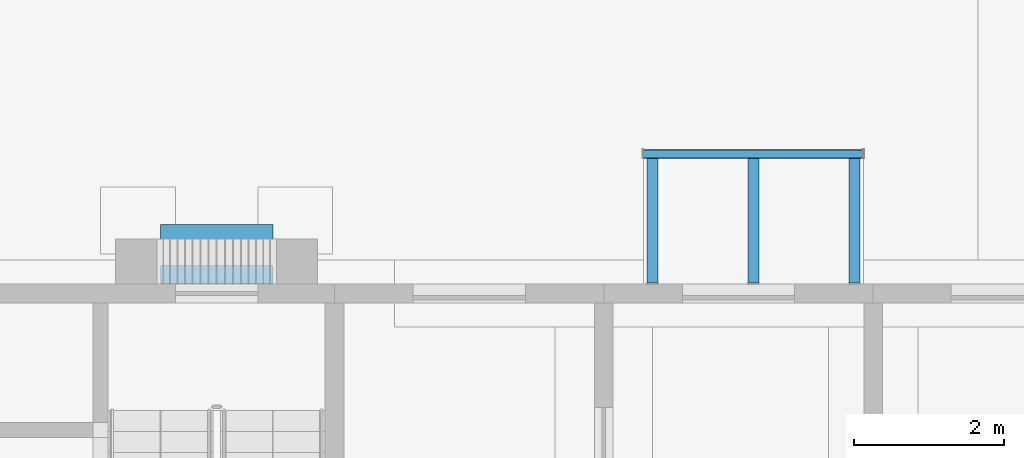
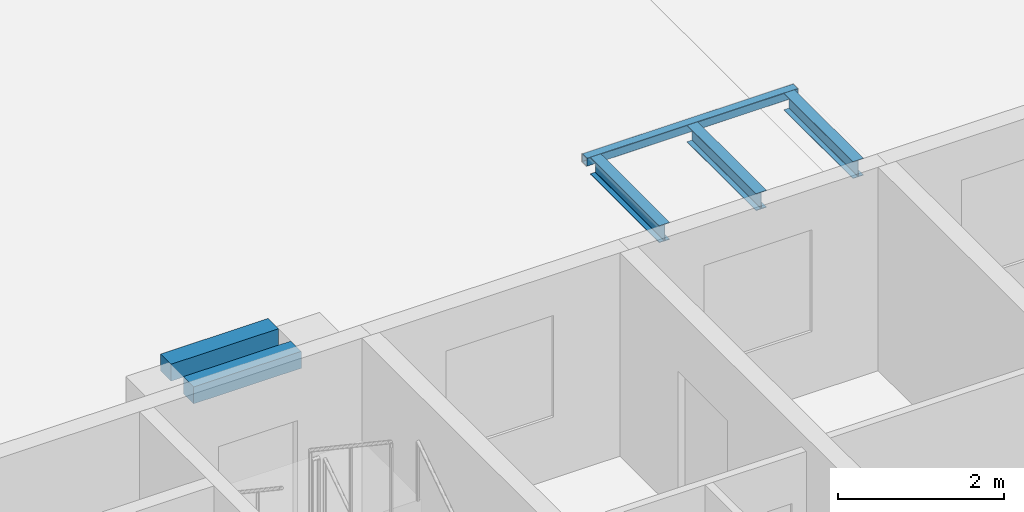
# One storey, part 26 of 112: 6 beams.
"""IFC4 building model written with IfcOpenShell, lengths in metres."""

from ifc_helpers import new_model, si_unit, direction, frame, origin, origin_2d, place, context, subcontext, project, spatial, rectangle, hollow_rectangle, i_section, extrude, material, material_profile, profile_set, type_object, element, save


model = new_model("IFC4")

# Units and contexts
model_context = context("Model", 3, precision=1e-05, world=origin(), true_north=direction((0.0, 1.0)))
body_context = subcontext(model_context, "Body", "Model", "MODEL_VIEW")
ifc_project = project(units=[si_unit("LENGTHUNIT", "METRE"), si_unit("AREAUNIT", "SQUARE_METRE"), si_unit("VOLUMEUNIT", "CUBIC_METRE"), si_unit("PLANEANGLEUNIT", "RADIAN"), si_unit("MASSUNIT", "GRAM", prefix="KILO")], contexts=[model_context])

# Site, building, storey
site_placement = place(None, origin())
site = spatial("IfcSite", under=ifc_project, at=site_placement, CompositionType="ELEMENT")
building_placement = place(site_placement, origin())
building = spatial("IfcBuilding", under=site, at=building_placement, Name="Ridgestep Commons", CompositionType="ELEMENT")
storey_placement = place(building_placement, origin())
storey = spatial("IfcBuildingStorey", under=building, at=storey_placement, Name="L00", CompositionType="ELEMENT", Elevation=0.0)

# Beams
ifc_material_1 = material(Name="Precast concrete C40/50", Category="concrete")
ifc_material_profile_1 = material_profile(ifc_material_1, rectangle(XDim=0.25, YDim=0.25, at=origin_2d()), Name="Portal lintel 250 x 250")
ifc_profile_set_1 = profile_set([ifc_material_profile_1], Name="Precast concrete C40/50")
beam_type_1 = type_object("IfcBeamType", Name="Portal lintel 250 x 250", PredefinedType="BEAM", material=ifc_profile_set_1)
for number, where, z_axis, x_axis, name in (
    (1, (184.074951171875, 77.375, 2.77490234375), (1.0, 0.0, 0.0), (0.0, 1.0, 0.0), "Portal lintel C1"),
    (2, (184.074951171875, 77.925048828125, 2.77490234375), (1.0, 0.0, 0.0), (0.0, 1.0, 0.0), "Portal lintel C2"),
):
    element("IfcBeam", number, at=place(storey_placement, frame(where, z_axis=z_axis, x_axis=x_axis)), inside=storey, type_object=beam_type_1, Name=name, PredefinedType="BEAM", context=body_context, shape_type="SweptSolid", body=[
        extrude(rectangle(XDim=0.25, YDim=0.25, at=origin_2d()), origin(), (0.0, 0.0, 1.0), 1.5),
    ])
ifc_material_2 = material(Name="Weathering steel S355J2W", Category="steel")
ifc_material_profile_2 = material_profile(ifc_material_2, i_section(OverallWidth=0.14599609375, OverallDepth=0.25146484375, WebThickness=0.006103515625, FlangeThickness=0.008544921875, FilletRadius=0.007568359375, at=origin_2d()), Name="UB 254x146x31")
ifc_profile_set_2 = profile_set([ifc_material_profile_2], Name="Weathering steel S355J2W")
beam_type_2 = type_object("IfcBeamType", Name="Tray arm UB 254x146x31", PredefinedType="BEAM", material=ifc_profile_set_2)
for number, where, z_axis, x_axis, name in (
    (3, (190.64990234375, 77.264892578125, 2.8642578125), (0.0, 1.0, 0.0), (-1.0, 0.0, 0.0), "Tray arm C3T2-01.1"),
    (4, (192.0, 77.264892578125, 2.8642578125), (0.0, 1.0, 0.0), (-1.0, 0.0, 0.0), "Tray arm C3T2-01.2"),
    (5, (193.35009765625, 77.264892578125, 2.8642578125), (0.0, 1.0, 0.0), (-1.0, 0.0, 0.0), "Tray arm C3T2-01.3"),
):
    element("IfcBeam", number, at=place(storey_placement, frame(where, z_axis=z_axis, x_axis=x_axis)), inside=storey, type_object=beam_type_2, Name=name, PredefinedType="BEAM", context=body_context, shape_type="SweptSolid", body=[
        extrude(i_section(OverallWidth=0.14599609375, OverallDepth=0.25146484375, WebThickness=0.006103515625, FlangeThickness=0.008544921875, FilletRadius=0.007568359375, at=origin_2d()), origin(), (0.0, 0.0, 1.0), 1.6650390625),
    ])
ifc_material_3 = material(Name="Weathering steel S355J2W", Category="steel")
ifc_material_profile_3 = material_profile(ifc_material_3, hollow_rectangle(XDim=0.1201171875, YDim=0.1201171875, WallThickness=0.00634765625, InnerFilletRadius=0.00634765625, OuterFilletRadius=0.009521484375, at=origin_2d()), Name="SHS 120x120x6.3")
ifc_profile_set_3 = profile_set([ifc_material_profile_3], Name="Weathering steel S355J2W")
beam_type_3 = type_object("IfcBeamType", Name="Tray edge member SHS 120x120x6.3", PredefinedType="BEAM", material=ifc_profile_set_3)
beam_placement = place(storey_placement, frame((190.530029296875, 78.989990234375, 2.929931640625), z_axis=(1.0, 0.0, 0.0), x_axis=(0.0, 0.0, 1.0)))
element("IfcBeam", 6, at=beam_placement, inside=storey, type_object=beam_type_3, Name="Tray edge member C3T2-01", PredefinedType="BEAM", context=body_context, shape_type="SweptSolid", body=[
    extrude(hollow_rectangle(XDim=0.1201171875, YDim=0.1201171875, WallThickness=0.00634765625, InnerFilletRadius=0.00634765625, OuterFilletRadius=0.009521484375, at=origin_2d()), origin(), (0.0, 0.0, 1.0), 2.93994140625),
])

save(model, "model.ifc")
